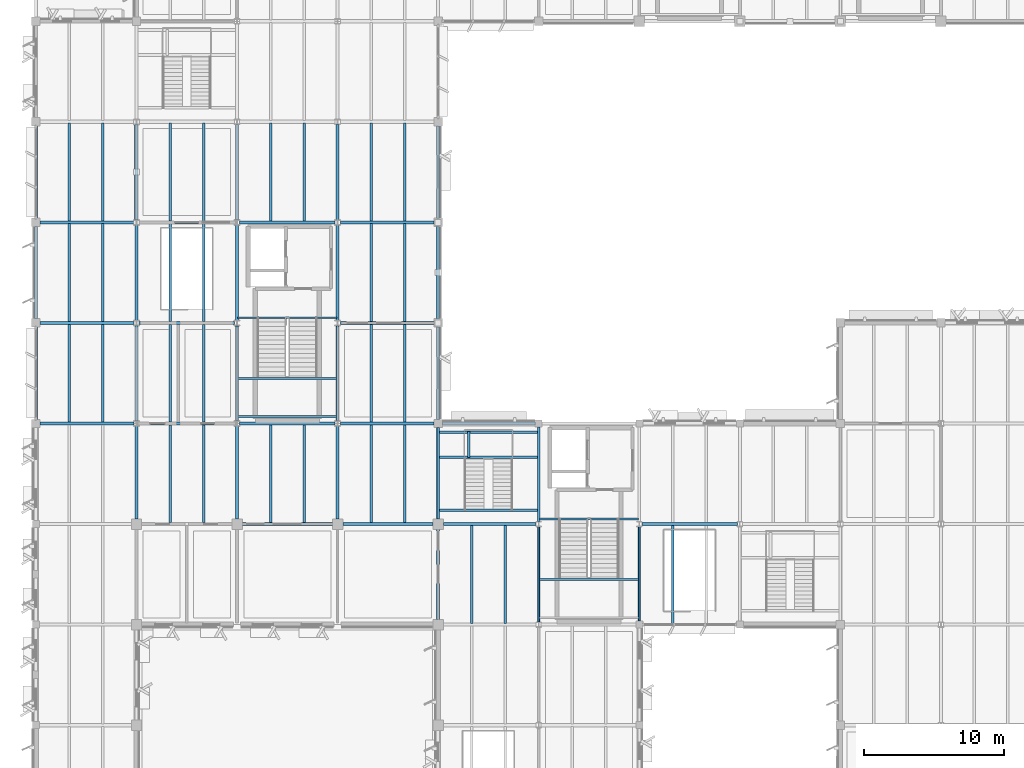
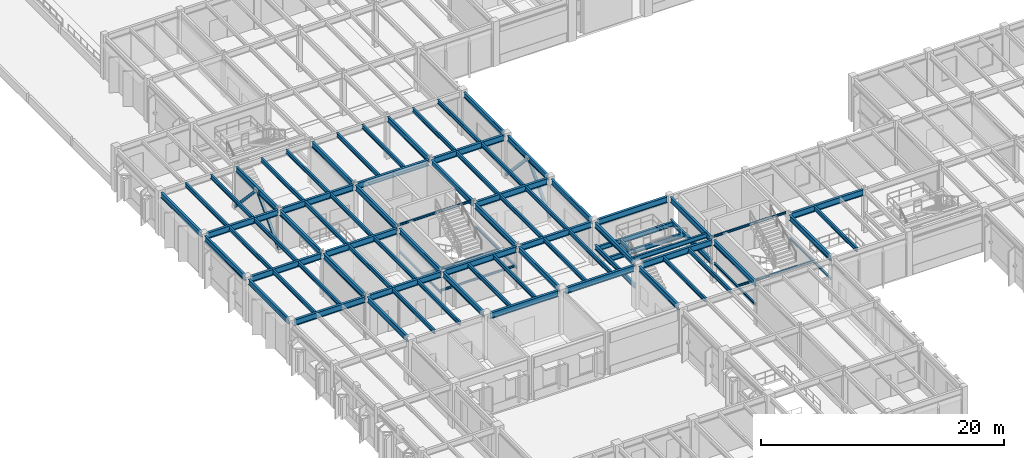
# One storey, part 16 of 92: 83 beams, 4 members.
"""IFC4 building model written with IfcOpenShell, lengths in metres."""

from ifc_helpers import new_model, si_unit, direction, frame, origin, origin_2d, place, context, subcontext, project, spatial, hollow_rectangle, i_section, extrude, material, material_profile, profile_set, type_object, element, save


model = new_model("IFC4")

# Units and contexts
model_context = context("Model", 3, precision=1e-05, world=origin(), true_north=direction((0.0, 1.0)))
body_context = subcontext(model_context, "Body", "Model", "MODEL_VIEW")
ifc_project = project(units=[si_unit("LENGTHUNIT", "METRE"), si_unit("AREAUNIT", "SQUARE_METRE"), si_unit("VOLUMEUNIT", "CUBIC_METRE"), si_unit("PLANEANGLEUNIT", "RADIAN"), si_unit("MASSUNIT", "GRAM", prefix="KILO")], contexts=[model_context])

# Site, building, storey
site_placement = place(None, origin())
site = spatial("IfcSite", under=ifc_project, at=site_placement, CompositionType="ELEMENT")
building_placement = place(site_placement, origin())
building = spatial("IfcBuilding", under=site, at=building_placement, Name="Sillqori Civic Hall", CompositionType="ELEMENT")
storey_placement = place(building_placement, frame((0.0, 0.0, 5.39990234375)))
storey = spatial("IfcBuildingStorey", under=building, at=storey_placement, Name="L02", CompositionType="ELEMENT", Elevation=5.39990234375)

# Beams
ifc_material_1 = material(Name="Steel ASTM A992", Category="steel")
ifc_material_profile_1 = material_profile(ifc_material_1, i_section(OverallWidth=0.19091796875, OverallDepth=0.4599609375, WebThickness=0.010009765625, FlangeThickness=0.01611328125, FilletRadius=0.012939453125, at=origin_2d()), Name="W18X55")
ifc_profile_set_1 = profile_set([ifc_material_profile_1], Name="Steel ASTM A992")
beam_type_1 = type_object("IfcBeamType", Name="BM-W18X55", PredefinedType="BEAM", material=ifc_profile_set_1)
beam_1_placement = place(storey_placement, frame((36.0, 43.569091796875, 1.8251953125), z_axis=(0.0, 1.0, 0.0), x_axis=(-1.0, 0.0, 0.0)))
element("IfcBeam", 1, at=beam_1_placement, inside=storey, type_object=beam_type_1, Name="Council Gallery Ceremonial Stair L02-L03 landing stringer girder W", PredefinedType="BEAM", context=body_context, shape_type="SweptSolid", body=[
    extrude(i_section(OverallWidth=0.19091796875, OverallDepth=0.4599609375, WebThickness=0.010009765625, FlangeThickness=0.01611328125, FilletRadius=0.012939453125, at=origin_2d()), origin(), (0.0, 0.0, 1.0), 6.536865234375),
])
beam_2_placement = place(storey_placement, frame((43.199951171875, 43.37451171875, 1.8251953125), z_axis=(0.0, 1.0, 0.0), x_axis=(-1.0, 0.0, 0.0)))
element("IfcBeam", 2, at=beam_2_placement, inside=storey, type_object=beam_type_1, Name="Council Gallery Ceremonial Stair L02-L03 landing stringer girder E", PredefinedType="BEAM", context=body_context, shape_type="SweptSolid", body=[
    extrude(i_section(OverallWidth=0.19091796875, OverallDepth=0.4599609375, WebThickness=0.010009765625, FlangeThickness=0.01611328125, FilletRadius=0.012939453125, at=origin_2d()), origin(), (0.0, 0.0, 1.0), 6.781494140625),
])
for number, where, z_axis, x_axis, name in (
    (3, (36.0400390625, 47.989990234375, 1.8251953125), (1.0, 0.0, 0.0), (0.0, 1.0, 0.0), "Council Gallery Ceremonial Stair L02-L03 half-landing cross trimmer 1"),
    (4, (36.0400390625, 49.780029296875, 1.8251953125), (1.0, 0.0, 0.0), (0.0, 1.0, 0.0), "Council Gallery Ceremonial Stair L02-L03 half-landing cross trimmer 2"),
):
    element("IfcBeam", number, at=place(storey_placement, frame(where, z_axis=z_axis, x_axis=x_axis)), inside=storey, type_object=beam_type_1, Name=name, PredefinedType="BEAM", context=body_context, shape_type="SweptSolid", body=[
        extrude(i_section(OverallWidth=0.19091796875, OverallDepth=0.4599609375, WebThickness=0.010009765625, FlangeThickness=0.01611328125, FilletRadius=0.012939453125, at=origin_2d()), origin(), (0.0, 0.0, 1.0), 7.119873046875),
    ])
beam_3_placement = place(storey_placement, frame((38.199951171875, 47.9599609375, 1.8251953125), z_axis=(0.0, 1.0, 0.0), x_axis=(-1.0, 0.0, 0.0)))
element("IfcBeam", 5, at=beam_3_placement, inside=storey, type_object=beam_type_1, Name="Council Gallery Ceremonial Stair L02-L03 half-landing spine rib", PredefinedType="BEAM", context=body_context, shape_type="SweptSolid", body=[
    extrude(i_section(OverallWidth=0.19091796875, OverallDepth=0.4599609375, WebThickness=0.010009765625, FlangeThickness=0.01611328125, FilletRadius=0.012939453125, at=origin_2d()), origin(), (0.0, 0.0, 1.0), 1.85009765625),
])
beam_4_placement = place(storey_placement, frame((36.0400390625, 44.199951171875, 4.0751953125), z_axis=(1.0, 0.0, 0.0), x_axis=(0.0, 1.0, 0.0)))
element("IfcBeam", 6, at=beam_4_placement, inside=storey, type_object=beam_type_1, Name="Council Gallery Ceremonial Stair L02-L03 upper arrival trimmer beam", PredefinedType="BEAM", context=body_context, shape_type="SweptSolid", body=[
    extrude(i_section(OverallWidth=0.19091796875, OverallDepth=0.4599609375, WebThickness=0.010009765625, FlangeThickness=0.01611328125, FilletRadius=0.012939453125, at=origin_2d()), origin(), (0.0, 0.0, 1.0), 7.119873046875),
])
ifc_material_profile_2 = material_profile(ifc_material_1, i_section(OverallWidth=0.2099609375, OverallDepth=0.532958984375, WebThickness=0.01025390625, FlangeThickness=0.015625, FilletRadius=0.013916015625, at=origin_2d()), Name="W21X62")
ifc_profile_set_2 = profile_set([ifc_material_profile_2], Name="Steel ASTM A992")
beam_type_2 = type_object("IfcBeamType", Name="BM-W21X62", PredefinedType="BEAM", material=ifc_profile_set_2)
beam_5_placement = place(storey_placement, frame((7.199951171875, 50.694091796875, 4.03369140625), z_axis=(0.0, 1.0, 0.0), x_axis=(-1.0, 0.0, 0.0)))
element("IfcBeam", 7, at=beam_5_placement, inside=storey, type_object=beam_type_2, Name="L02 girder Y 1-7", PredefinedType="BEAM", context=body_context, shape_type="SweptSolid", body=[
    extrude(i_section(OverallWidth=0.2099609375, OverallDepth=0.532958984375, WebThickness=0.01025390625, FlangeThickness=0.015625, FilletRadius=0.013916015625, at=origin_2d()), origin(), (0.0, 0.0, 1.0), 6.61181640625),
])
for number, where, z_axis, x_axis, name in (
    (8, (7.199951171875, 57.89404296875, 4.03369140625), (0.0, 1.0, 0.0), (-1.0, 0.0, 0.0), "L02 girder Y 1-8"),
    (9, (7.199951171875, 65.093994140625, 4.03369140625), (0.0, 1.0, 0.0), (-1.0, 0.0, 0.0), "L02 girder Y 1-9"),
):
    element("IfcBeam", number, at=place(storey_placement, frame(where, z_axis=z_axis, x_axis=x_axis)), inside=storey, type_object=beam_type_2, Name=name, PredefinedType="BEAM", context=body_context, shape_type="SweptSolid", body=[
        extrude(i_section(OverallWidth=0.2099609375, OverallDepth=0.532958984375, WebThickness=0.01025390625, FlangeThickness=0.015625, FilletRadius=0.013916015625, at=origin_2d()), origin(), (0.0, 0.0, 1.0), 6.612060546875),
    ])
beam_6_placement = place(storey_placement, frame((14.39990234375, 43.569091796875, 4.03369140625), z_axis=(0.0, 1.0, 0.0), x_axis=(-1.0, 0.0, 0.0)))
element("IfcBeam", 10, at=beam_6_placement, inside=storey, type_object=beam_type_2, Name="L02 girder Y 2-6", PredefinedType="BEAM", context=body_context, shape_type="SweptSolid", body=[
    extrude(i_section(OverallWidth=0.2099609375, OverallDepth=0.532958984375, WebThickness=0.01025390625, FlangeThickness=0.015625, FilletRadius=0.013916015625, at=origin_2d()), origin(), (0.0, 0.0, 1.0), 6.64892578125),
])
for number, where, z_axis, x_axis, name in (
    (11, (14.39990234375, 50.58203125, 4.03369140625), (0.0, 1.0, 0.0), (-1.0, 0.0, 0.0), "L02 girder Y 2-7"),
    (12, (14.39990234375, 57.781982421875, 4.03369140625), (0.0, 1.0, 0.0), (-1.0, 0.0, 0.0), "L02 girder Y 2-8"),
):
    element("IfcBeam", number, at=place(storey_placement, frame(where, z_axis=z_axis, x_axis=x_axis)), inside=storey, type_object=beam_type_2, Name=name, PredefinedType="BEAM", context=body_context, shape_type="SweptSolid", body=[
        extrude(i_section(OverallWidth=0.2099609375, OverallDepth=0.532958984375, WebThickness=0.01025390625, FlangeThickness=0.015625, FilletRadius=0.013916015625, at=origin_2d()), origin(), (0.0, 0.0, 1.0), 6.8359375),
    ])
beam_7_placement = place(storey_placement, frame((14.39990234375, 64.98193359375, 4.03369140625), z_axis=(0.0, 1.0, 0.0), x_axis=(-1.0, 0.0, 0.0)))
element("IfcBeam", 13, at=beam_7_placement, inside=storey, type_object=beam_type_2, Name="L02 girder Y 2-9", PredefinedType="BEAM", context=body_context, shape_type="SweptSolid", body=[
    extrude(i_section(OverallWidth=0.2099609375, OverallDepth=0.532958984375, WebThickness=0.01025390625, FlangeThickness=0.015625, FilletRadius=0.013916015625, at=origin_2d()), origin(), (0.0, 0.0, 1.0), 6.836181640625),
])
beam_8_placement = place(storey_placement, frame((21.60009765625, 43.569091796875, 4.03369140625), z_axis=(0.0, 1.0, 0.0), x_axis=(-1.0, 0.0, 0.0)))
element("IfcBeam", 14, at=beam_8_placement, inside=storey, type_object=beam_type_2, Name="L02 girder Y 3-6", PredefinedType="BEAM", context=body_context, shape_type="SweptSolid", body=[
    extrude(i_section(OverallWidth=0.2099609375, OverallDepth=0.532958984375, WebThickness=0.01025390625, FlangeThickness=0.015625, FilletRadius=0.013916015625, at=origin_2d()), origin(), (0.0, 0.0, 1.0), 6.64892578125),
])
for number, where, z_axis, x_axis, name in (
    (15, (21.60009765625, 50.58203125, 4.03369140625), (0.0, 1.0, 0.0), (-1.0, 0.0, 0.0), "L02 girder Y 3-7"),
    (16, (21.60009765625, 57.781982421875, 4.03369140625), (0.0, 1.0, 0.0), (-1.0, 0.0, 0.0), "L02 girder Y 3-8"),
):
    element("IfcBeam", number, at=place(storey_placement, frame(where, z_axis=z_axis, x_axis=x_axis)), inside=storey, type_object=beam_type_2, Name=name, PredefinedType="BEAM", context=body_context, shape_type="SweptSolid", body=[
        extrude(i_section(OverallWidth=0.2099609375, OverallDepth=0.532958984375, WebThickness=0.01025390625, FlangeThickness=0.015625, FilletRadius=0.013916015625, at=origin_2d()), origin(), (0.0, 0.0, 1.0), 6.8359375),
    ])
beam_9_placement = place(storey_placement, frame((21.60009765625, 64.98193359375, 4.03369140625), z_axis=(0.0, 1.0, 0.0), x_axis=(-1.0, 0.0, 0.0)))
element("IfcBeam", 17, at=beam_9_placement, inside=storey, type_object=beam_type_2, Name="L02 girder Y 3-9", PredefinedType="BEAM", context=body_context, shape_type="SweptSolid", body=[
    extrude(i_section(OverallWidth=0.2099609375, OverallDepth=0.532958984375, WebThickness=0.01025390625, FlangeThickness=0.015625, FilletRadius=0.013916015625, at=origin_2d()), origin(), (0.0, 0.0, 1.0), 6.836181640625),
])
beam_10_placement = place(storey_placement, frame((28.800048828125, 43.569091796875, 4.03369140625), z_axis=(0.0, 1.0, 0.0), x_axis=(-1.0, 0.0, 0.0)))
element("IfcBeam", 18, at=beam_10_placement, inside=storey, type_object=beam_type_2, Name="L02 girder Y 4-6", PredefinedType="BEAM", context=body_context, shape_type="SweptSolid", body=[
    extrude(i_section(OverallWidth=0.2099609375, OverallDepth=0.532958984375, WebThickness=0.01025390625, FlangeThickness=0.015625, FilletRadius=0.013916015625, at=origin_2d()), origin(), (0.0, 0.0, 1.0), 6.64892578125),
])
for number, where, z_axis, x_axis, name in (
    (19, (28.800048828125, 50.58203125, 4.03369140625), (0.0, 1.0, 0.0), (-1.0, 0.0, 0.0), "L02 girder Y 4-7"),
    (20, (28.800048828125, 57.781982421875, 4.03369140625), (0.0, 1.0, 0.0), (-1.0, 0.0, 0.0), "L02 girder Y 4-8"),
):
    element("IfcBeam", number, at=place(storey_placement, frame(where, z_axis=z_axis, x_axis=x_axis)), inside=storey, type_object=beam_type_2, Name=name, PredefinedType="BEAM", context=body_context, shape_type="SweptSolid", body=[
        extrude(i_section(OverallWidth=0.2099609375, OverallDepth=0.532958984375, WebThickness=0.01025390625, FlangeThickness=0.015625, FilletRadius=0.013916015625, at=origin_2d()), origin(), (0.0, 0.0, 1.0), 6.8359375),
    ])
beam_11_placement = place(storey_placement, frame((28.800048828125, 64.98193359375, 4.03369140625), z_axis=(0.0, 1.0, 0.0), x_axis=(-1.0, 0.0, 0.0)))
element("IfcBeam", 21, at=beam_11_placement, inside=storey, type_object=beam_type_2, Name="L02 girder Y 4-9", PredefinedType="BEAM", context=body_context, shape_type="SweptSolid", body=[
    extrude(i_section(OverallWidth=0.2099609375, OverallDepth=0.532958984375, WebThickness=0.01025390625, FlangeThickness=0.015625, FilletRadius=0.013916015625, at=origin_2d()), origin(), (0.0, 0.0, 1.0), 6.836181640625),
])
beam_12_placement = place(storey_placement, frame((36.0, 36.368896484375, 4.03369140625), z_axis=(0.0, 1.0, 0.0), x_axis=(-1.0, 0.0, 0.0)))
element("IfcBeam", 22, at=beam_12_placement, inside=storey, type_object=beam_type_2, Name="L02 girder Y 5-5", PredefinedType="BEAM", context=body_context, shape_type="SweptSolid", body=[
    extrude(i_section(OverallWidth=0.2099609375, OverallDepth=0.532958984375, WebThickness=0.01025390625, FlangeThickness=0.015625, FilletRadius=0.013916015625, at=origin_2d()), origin(), (0.0, 0.0, 1.0), 6.462158203125),
])
beam_13_placement = place(storey_placement, frame((36.0, 43.569091796875, 4.03369140625), z_axis=(0.0, 1.0, 0.0), x_axis=(-1.0, 0.0, 0.0)))
element("IfcBeam", 23, at=beam_13_placement, inside=storey, type_object=beam_type_2, Name="L02 girder Y 5-6", PredefinedType="BEAM", context=body_context, shape_type="SweptSolid", body=[
    extrude(i_section(OverallWidth=0.2099609375, OverallDepth=0.532958984375, WebThickness=0.01025390625, FlangeThickness=0.015625, FilletRadius=0.013916015625, at=origin_2d()), origin(), (0.0, 0.0, 1.0), 6.536865234375),
])
beam_14_placement = place(storey_placement, frame((36.0, 50.694091796875, 4.03369140625), z_axis=(0.0, 1.0, 0.0), x_axis=(-1.0, 0.0, 0.0)))
element("IfcBeam", 24, at=beam_14_placement, inside=storey, type_object=beam_type_2, Name="L02 girder Y 5-7", PredefinedType="BEAM", context=body_context, shape_type="SweptSolid", body=[
    extrude(i_section(OverallWidth=0.2099609375, OverallDepth=0.532958984375, WebThickness=0.01025390625, FlangeThickness=0.015625, FilletRadius=0.013916015625, at=origin_2d()), origin(), (0.0, 0.0, 1.0), 6.61181640625),
])
for number, where, z_axis, x_axis, name in (
    (25, (36.0, 57.89404296875, 4.03369140625), (0.0, 1.0, 0.0), (-1.0, 0.0, 0.0), "L02 girder Y 5-8"),
    (26, (36.0, 65.093994140625, 4.03369140625), (0.0, 1.0, 0.0), (-1.0, 0.0, 0.0), "L02 girder Y 5-9"),
):
    element("IfcBeam", number, at=place(storey_placement, frame(where, z_axis=z_axis, x_axis=x_axis)), inside=storey, type_object=beam_type_2, Name=name, PredefinedType="BEAM", context=body_context, shape_type="SweptSolid", body=[
        extrude(i_section(OverallWidth=0.2099609375, OverallDepth=0.532958984375, WebThickness=0.01025390625, FlangeThickness=0.015625, FilletRadius=0.013916015625, at=origin_2d()), origin(), (0.0, 0.0, 1.0), 6.612060546875),
    ])
beam_15_placement = place(storey_placement, frame((43.199951171875, 36.174560546875, 4.03369140625), z_axis=(0.0, 1.0, 0.0), x_axis=(-1.0, 0.0, 0.0)))
element("IfcBeam", 27, at=beam_15_placement, inside=storey, type_object=beam_type_2, Name="L02 girder Y 6-5", PredefinedType="BEAM", context=body_context, shape_type="SweptSolid", body=[
    extrude(i_section(OverallWidth=0.2099609375, OverallDepth=0.532958984375, WebThickness=0.01025390625, FlangeThickness=0.015625, FilletRadius=0.013916015625, at=origin_2d()), origin(), (0.0, 0.0, 1.0), 6.850830078125),
])
for number, where, z_axis, x_axis, name in (
    (28, (43.199951171875, 43.37451171875, 4.03369140625), (0.0, 1.0, 0.0), (-1.0, 0.0, 0.0), "L02 girder Y 6-6"),
    (29, (50.39990234375, 36.243896484375, 4.03369140625), (0.0, 1.0, 0.0), (-1.0, 0.0, 0.0), "L02 girder Y 7-5"),
):
    element("IfcBeam", number, at=place(storey_placement, frame(where, z_axis=z_axis, x_axis=x_axis)), inside=storey, type_object=beam_type_2, Name=name, PredefinedType="BEAM", context=body_context, shape_type="SweptSolid", body=[
        extrude(i_section(OverallWidth=0.2099609375, OverallDepth=0.532958984375, WebThickness=0.01025390625, FlangeThickness=0.015625, FilletRadius=0.013916015625, at=origin_2d()), origin(), (0.0, 0.0, 1.0), 6.781494140625),
    ])
ifc_material_profile_3 = material_profile(ifc_material_1, i_section(OverallWidth=0.22802734375, OverallDepth=0.60205078125, WebThickness=0.010498046875, FlangeThickness=0.014892578125, FilletRadius=0.014892578125, at=origin_2d()), Name="W24X68")
ifc_profile_set_3 = profile_set([ifc_material_profile_3], Name="Steel ASTM A992")
beam_type_3 = type_object("IfcBeamType", Name="BM-W24X68", PredefinedType="BEAM", material=ifc_profile_set_3)
for number, where, z_axis, x_axis, name in (
    (30, (7.493896484375, 50.39990234375, 3.9990234375), (1.0, 0.0, 0.0), (0.0, 1.0, 0.0), "L02 girder X 1-7"),
    (31, (7.493896484375, 57.60009765625, 3.9990234375), (1.0, 0.0, 0.0), (0.0, 1.0, 0.0), "L02 girder X 1-8"),
    (32, (7.493896484375, 64.800048828125, 3.9990234375), (1.0, 0.0, 0.0), (0.0, 1.0, 0.0), "L02 girder X 1-9"),
):
    element("IfcBeam", number, at=place(storey_placement, frame(where, z_axis=z_axis, x_axis=x_axis)), inside=storey, type_object=beam_type_3, Name=name, PredefinedType="BEAM", context=body_context, shape_type="SweptSolid", body=[
        extrude(i_section(OverallWidth=0.22802734375, OverallDepth=0.60205078125, WebThickness=0.010498046875, FlangeThickness=0.014892578125, FilletRadius=0.014892578125, at=origin_2d()), origin(), (0.0, 0.0, 1.0), 6.715087890625),
    ])
for number, where, z_axis, x_axis, name in (
    (33, (14.591064453125, 50.39990234375, 3.9990234375), (1.0, 0.0, 0.0), (0.0, 1.0, 0.0), "L02 girder X 2-7"),
    (34, (14.591064453125, 57.60009765625, 3.9990234375), (1.0, 0.0, 0.0), (0.0, 1.0, 0.0), "L02 girder X 2-8"),
    (35, (14.591064453125, 64.800048828125, 3.9990234375), (1.0, 0.0, 0.0), (0.0, 1.0, 0.0), "L02 girder X 2-9"),
):
    element("IfcBeam", number, at=place(storey_placement, frame(where, z_axis=z_axis, x_axis=x_axis)), inside=storey, type_object=beam_type_3, Name=name, PredefinedType="BEAM", context=body_context, shape_type="SweptSolid", body=[
        extrude(i_section(OverallWidth=0.22802734375, OverallDepth=0.60205078125, WebThickness=0.010498046875, FlangeThickness=0.014892578125, FilletRadius=0.014892578125, at=origin_2d()), origin(), (0.0, 0.0, 1.0), 6.81787109375),
    ])
beam_16_placement = place(storey_placement, frame((21.968994140625, 43.199951171875, 3.9990234375), z_axis=(1.0, 0.0, 0.0), x_axis=(0.0, 1.0, 0.0)))
element("IfcBeam", 36, at=beam_16_placement, inside=storey, type_object=beam_type_3, Name="L02 girder X 3-6", PredefinedType="BEAM", context=body_context, shape_type="SweptSolid", body=[
    extrude(i_section(OverallWidth=0.22802734375, OverallDepth=0.60205078125, WebThickness=0.010498046875, FlangeThickness=0.014892578125, FilletRadius=0.014892578125, at=origin_2d()), origin(), (0.0, 0.0, 1.0), 6.4619140625),
])
for number, where, z_axis, x_axis, name in (
    (37, (21.791015625, 50.39990234375, 3.9990234375), (1.0, 0.0, 0.0), (0.0, 1.0, 0.0), "L02 girder X 3-7"),
    (38, (21.791015625, 64.800048828125, 3.9990234375), (1.0, 0.0, 0.0), (0.0, 1.0, 0.0), "L02 girder X 3-9"),
):
    element("IfcBeam", number, at=place(storey_placement, frame(where, z_axis=z_axis, x_axis=x_axis)), inside=storey, type_object=beam_type_3, Name=name, PredefinedType="BEAM", context=body_context, shape_type="SweptSolid", body=[
        extrude(i_section(OverallWidth=0.22802734375, OverallDepth=0.60205078125, WebThickness=0.010498046875, FlangeThickness=0.014892578125, FilletRadius=0.014892578125, at=origin_2d()), origin(), (0.0, 0.0, 1.0), 6.81787109375),
    ])
beam_17_placement = place(storey_placement, frame((29.1689453125, 43.199951171875, 3.9990234375), z_axis=(1.0, 0.0, 0.0), x_axis=(0.0, 1.0, 0.0)))
element("IfcBeam", 39, at=beam_17_placement, inside=storey, type_object=beam_type_3, Name="L02 girder X 4-6", PredefinedType="BEAM", context=body_context, shape_type="SweptSolid", body=[
    extrude(i_section(OverallWidth=0.22802734375, OverallDepth=0.60205078125, WebThickness=0.010498046875, FlangeThickness=0.014892578125, FilletRadius=0.014892578125, at=origin_2d()), origin(), (0.0, 0.0, 1.0), 6.462158203125),
])
for number, where, z_axis, x_axis, name in (
    (40, (28.990966796875, 50.39990234375, 3.9990234375), (1.0, 0.0, 0.0), (0.0, 1.0, 0.0), "L02 girder X 4-7"),
    (41, (28.990966796875, 57.60009765625, 3.9990234375), (1.0, 0.0, 0.0), (0.0, 1.0, 0.0), "L02 girder X 4-8"),
    (42, (28.990966796875, 64.800048828125, 3.9990234375), (1.0, 0.0, 0.0), (0.0, 1.0, 0.0), "L02 girder X 4-9"),
):
    element("IfcBeam", number, at=place(storey_placement, frame(where, z_axis=z_axis, x_axis=x_axis)), inside=storey, type_object=beam_type_3, Name=name, PredefinedType="BEAM", context=body_context, shape_type="SweptSolid", body=[
        extrude(i_section(OverallWidth=0.22802734375, OverallDepth=0.60205078125, WebThickness=0.010498046875, FlangeThickness=0.014892578125, FilletRadius=0.014892578125, at=origin_2d()), origin(), (0.0, 0.0, 1.0), 6.715087890625),
    ])
beam_18_placement = place(storey_placement, frame((36.368896484375, 43.199951171875, 3.9990234375), z_axis=(1.0, 0.0, 0.0), x_axis=(0.0, 1.0, 0.0)))
element("IfcBeam", 43, at=beam_18_placement, inside=storey, type_object=beam_type_3, Name="L02 girder X 5-6", PredefinedType="BEAM", context=body_context, shape_type="SweptSolid", body=[
    extrude(i_section(OverallWidth=0.22802734375, OverallDepth=0.60205078125, WebThickness=0.010498046875, FlangeThickness=0.014892578125, FilletRadius=0.014892578125, at=origin_2d()), origin(), (0.0, 0.0, 1.0), 6.651611328125),
])
beam_19_placement = place(storey_placement, frame((36.2939453125, 50.39990234375, 3.9990234375), z_axis=(1.0, 0.0, 0.0), x_axis=(0.0, 1.0, 0.0)))
element("IfcBeam", 44, at=beam_19_placement, inside=storey, type_object=beam_type_3, Name="L02 girder X 5-7", PredefinedType="BEAM", context=body_context, shape_type="SweptSolid", body=[
    extrude(i_section(OverallWidth=0.22802734375, OverallDepth=0.60205078125, WebThickness=0.010498046875, FlangeThickness=0.014892578125, FilletRadius=0.014892578125, at=origin_2d()), origin(), (0.0, 0.0, 1.0), 6.662109375),
])
beam_20_placement = place(storey_placement, frame((50.57958984375, 43.199951171875, 3.9990234375), z_axis=(1.0, 0.0, 0.0), x_axis=(0.0, 1.0, 0.0)))
element("IfcBeam", 45, at=beam_20_placement, inside=storey, type_object=beam_type_3, Name="L02 girder X 7-6", PredefinedType="BEAM", context=body_context, shape_type="SweptSolid", body=[
    extrude(i_section(OverallWidth=0.22802734375, OverallDepth=0.60205078125, WebThickness=0.010498046875, FlangeThickness=0.014892578125, FilletRadius=0.014892578125, at=origin_2d()), origin(), (0.0, 0.0, 1.0), 6.8408203125),
])

# Members
ifc_material_2 = material(Name="Steel ASTM A500 Grade C", Category="steel")
ifc_material_profile_4 = material_profile(ifc_material_2, hollow_rectangle(XDim=0.25, YDim=0.25, WallThickness=0.011962890625, InnerFilletRadius=0.011962890625, OuterFilletRadius=0.02392578125, at=origin_2d()), Name="HSS250X250X12")
ifc_profile_set_4 = profile_set([ifc_material_profile_4], Name="Steel ASTM A500 Grade C")
member_type = type_object("IfcMemberType", Name="BR-HSS250", PredefinedType="BRACE", material=ifc_profile_set_4)
for number, where, z_axis, x_axis, name in (
    (46, (36.0, 57.60009765625, 0.150146484375), (0.0, 0.682992959744, 0.730424956406), (-1.0, 0.0, 0.0), "L02 seismic chevron brace L Y5-8"),
    (47, (36.0, 64.800048828125, 0.150146484375), (0.0, -0.683017671411, 0.73040184867), (1.0, 0.0, 0.0), "L02 seismic chevron brace R Y5-8"),
    (48, (14.39990234375, 64.800048828125, 0.150146484375), (0.0, 0.682992959744, 0.730424956406), (-1.0, 0.0, 0.0), "L02 seismic chevron brace L Y2-9"),
    (49, (14.39990234375, 72.0, 0.150146484375), (0.0, -0.683017671411, 0.73040184867), (1.0, 0.0, 0.0), "L02 seismic chevron brace R Y2-9"),
):
    element("IfcMember", number, at=place(storey_placement, frame(where, z_axis=z_axis, x_axis=x_axis)), inside=storey, type_object=member_type, Name=name, PredefinedType="BRACE", context=body_context, shape_type="SweptSolid", body=[
        extrude(hollow_rectangle(XDim=0.25, YDim=0.25, WallThickness=0.011962890625, InnerFilletRadius=0.011962890625, OuterFilletRadius=0.02392578125, at=origin_2d()), origin(), (0.0, 0.0, 1.0), 5.270751953125),
    ])

# Beams
ifc_material_profile_5 = material_profile(ifc_material_1, i_section(OverallWidth=0.177978515625, OverallDepth=0.404052734375, WebThickness=0.007568359375, FlangeThickness=0.010986328125, FilletRadius=0.011962890625, at=origin_2d()), Name="W16X36")
ifc_profile_set_5 = profile_set([ifc_material_profile_5], Name="Steel ASTM A992")
beam_type_4 = type_object("IfcBeamType", Name="JS-W16X36", PredefinedType="JOIST", material=ifc_profile_set_5)
for number, where, z_axis, x_axis, name in (
    (50, (9.60009765625, 50.4951171875, 4.09814453125), (0.0, 1.0, 0.0), (-1.0, 0.0, 0.0), "L02 composite joist 1-7.1"),
    (51, (12.0, 50.4951171875, 4.09814453125), (0.0, 1.0, 0.0), (-1.0, 0.0, 0.0), "L02 composite joist 1-7.2"),
):
    element("IfcBeam", number, at=place(storey_placement, frame(where, z_axis=z_axis, x_axis=x_axis)), inside=storey, type_object=beam_type_4, Name=name, PredefinedType="JOIST", context=body_context, shape_type="SweptSolid", body=[
        extrude(i_section(OverallWidth=0.177978515625, OverallDepth=0.404052734375, WebThickness=0.007568359375, FlangeThickness=0.010986328125, FilletRadius=0.011962890625, at=origin_2d()), origin(), (0.0, 0.0, 1.0), 7.009765625),
    ])
for number, where, z_axis, x_axis, name in (
    (52, (9.60009765625, 57.695068359375, 4.09814453125), (0.0, 1.0, 0.0), (-1.0, 0.0, 0.0), "L02 composite joist 1-8.1"),
    (53, (12.0, 57.695068359375, 4.09814453125), (0.0, 1.0, 0.0), (-1.0, 0.0, 0.0), "L02 composite joist 1-8.2"),
    (54, (9.60009765625, 64.89501953125, 4.09814453125), (0.0, 1.0, 0.0), (-1.0, 0.0, 0.0), "L02 composite joist 1-9.1"),
    (55, (12.0, 64.89501953125, 4.09814453125), (0.0, 1.0, 0.0), (-1.0, 0.0, 0.0), "L02 composite joist 1-9.2"),
    (56, (16.800048828125, 43.294921875, 4.09814453125), (0.0, 1.0, 0.0), (-1.0, 0.0, 0.0), "L02 composite joist 2-6.1"),
    (57, (19.199951171875, 43.294921875, 4.09814453125), (0.0, 1.0, 0.0), (-1.0, 0.0, 0.0), "L02 composite joist 2-6.2"),
):
    element("IfcBeam", number, at=place(storey_placement, frame(where, z_axis=z_axis, x_axis=x_axis)), inside=storey, type_object=beam_type_4, Name=name, PredefinedType="JOIST", context=body_context, shape_type="SweptSolid", body=[
        extrude(i_section(OverallWidth=0.177978515625, OverallDepth=0.404052734375, WebThickness=0.007568359375, FlangeThickness=0.010986328125, FilletRadius=0.011962890625, at=origin_2d()), origin(), (0.0, 0.0, 1.0), 7.010009765625),
    ])
for number, where, z_axis, x_axis, name in (
    (58, (16.800048828125, 50.4951171875, 4.09814453125), (0.0, 1.0, 0.0), (-1.0, 0.0, 0.0), "L02 composite joist 2-7.1"),
    (59, (19.199951171875, 50.4951171875, 4.09814453125), (0.0, 1.0, 0.0), (-1.0, 0.0, 0.0), "L02 composite joist 2-7.2"),
):
    element("IfcBeam", number, at=place(storey_placement, frame(where, z_axis=z_axis, x_axis=x_axis)), inside=storey, type_object=beam_type_4, Name=name, PredefinedType="JOIST", context=body_context, shape_type="SweptSolid", body=[
        extrude(i_section(OverallWidth=0.177978515625, OverallDepth=0.404052734375, WebThickness=0.007568359375, FlangeThickness=0.010986328125, FilletRadius=0.011962890625, at=origin_2d()), origin(), (0.0, 0.0, 1.0), 7.009765625),
    ])
for number, where, z_axis, x_axis, name in (
    (60, (16.800048828125, 57.695068359375, 4.09814453125), (0.0, 1.0, 0.0), (-1.0, 0.0, 0.0), "L02 composite joist 2-8.1"),
    (61, (19.199951171875, 57.695068359375, 4.09814453125), (0.0, 1.0, 0.0), (-1.0, 0.0, 0.0), "L02 composite joist 2-8.2"),
    (62, (16.800048828125, 64.89501953125, 4.09814453125), (0.0, 1.0, 0.0), (-1.0, 0.0, 0.0), "L02 composite joist 2-9.1"),
    (63, (19.199951171875, 64.89501953125, 4.09814453125), (0.0, 1.0, 0.0), (-1.0, 0.0, 0.0), "L02 composite joist 2-9.2"),
    (64, (24.0, 43.294921875, 4.09814453125), (0.0, 1.0, 0.0), (-1.0, 0.0, 0.0), "L02 composite joist 3-6.1"),
    (65, (26.39990234375, 43.294921875, 4.09814453125), (0.0, 1.0, 0.0), (-1.0, 0.0, 0.0), "L02 composite joist 3-6.2"),
    (66, (24.0, 64.89501953125, 4.09814453125), (0.0, 1.0, 0.0), (-1.0, 0.0, 0.0), "L02 composite joist 3-9.1"),
    (67, (26.39990234375, 64.89501953125, 4.09814453125), (0.0, 1.0, 0.0), (-1.0, 0.0, 0.0), "L02 composite joist 3-9.2"),
    (68, (31.199951171875, 43.294921875, 4.09814453125), (0.0, 1.0, 0.0), (-1.0, 0.0, 0.0), "L02 composite joist 4-6.1"),
    (69, (33.60009765625, 43.294921875, 4.09814453125), (0.0, 1.0, 0.0), (-1.0, 0.0, 0.0), "L02 composite joist 4-6.2"),
):
    element("IfcBeam", number, at=place(storey_placement, frame(where, z_axis=z_axis, x_axis=x_axis)), inside=storey, type_object=beam_type_4, Name=name, PredefinedType="JOIST", context=body_context, shape_type="SweptSolid", body=[
        extrude(i_section(OverallWidth=0.177978515625, OverallDepth=0.404052734375, WebThickness=0.007568359375, FlangeThickness=0.010986328125, FilletRadius=0.011962890625, at=origin_2d()), origin(), (0.0, 0.0, 1.0), 7.010009765625),
    ])
for number, where, z_axis, x_axis, name in (
    (70, (31.199951171875, 50.4951171875, 4.09814453125), (0.0, 1.0, 0.0), (-1.0, 0.0, 0.0), "L02 composite joist 4-7.1"),
    (71, (33.60009765625, 50.4951171875, 4.09814453125), (0.0, 1.0, 0.0), (-1.0, 0.0, 0.0), "L02 composite joist 4-7.2"),
):
    element("IfcBeam", number, at=place(storey_placement, frame(where, z_axis=z_axis, x_axis=x_axis)), inside=storey, type_object=beam_type_4, Name=name, PredefinedType="JOIST", context=body_context, shape_type="SweptSolid", body=[
        extrude(i_section(OverallWidth=0.177978515625, OverallDepth=0.404052734375, WebThickness=0.007568359375, FlangeThickness=0.010986328125, FilletRadius=0.011962890625, at=origin_2d()), origin(), (0.0, 0.0, 1.0), 7.009765625),
    ])
for number, where, z_axis, x_axis, name in (
    (72, (31.199951171875, 57.695068359375, 4.09814453125), (0.0, 1.0, 0.0), (-1.0, 0.0, 0.0), "L02 composite joist 4-8.1"),
    (73, (33.60009765625, 57.695068359375, 4.09814453125), (0.0, 1.0, 0.0), (-1.0, 0.0, 0.0), "L02 composite joist 4-8.2"),
    (74, (31.199951171875, 64.89501953125, 4.09814453125), (0.0, 1.0, 0.0), (-1.0, 0.0, 0.0), "L02 composite joist 4-9.1"),
    (75, (33.60009765625, 64.89501953125, 4.09814453125), (0.0, 1.0, 0.0), (-1.0, 0.0, 0.0), "L02 composite joist 4-9.2"),
    (76, (38.39990234375, 36.094970703125, 4.09814453125), (0.0, 1.0, 0.0), (-1.0, 0.0, 0.0), "L02 composite joist 5-5.1"),
    (77, (40.800048828125, 36.094970703125, 4.09814453125), (0.0, 1.0, 0.0), (-1.0, 0.0, 0.0), "L02 composite joist 5-5.2"),
    (78, (52.800048828125, 36.094970703125, 4.09814453125), (0.0, 1.0, 0.0), (-1.0, 0.0, 0.0), "L02 composite joist 7-5.1"),
):
    element("IfcBeam", number, at=place(storey_placement, frame(where, z_axis=z_axis, x_axis=x_axis)), inside=storey, type_object=beam_type_4, Name=name, PredefinedType="JOIST", context=body_context, shape_type="SweptSolid", body=[
        extrude(i_section(OverallWidth=0.177978515625, OverallDepth=0.404052734375, WebThickness=0.007568359375, FlangeThickness=0.010986328125, FilletRadius=0.011962890625, at=origin_2d()), origin(), (0.0, 0.0, 1.0), 7.010009765625),
    ])
ifc_material_profile_6 = material_profile(ifc_material_1, i_section(OverallWidth=0.133056640625, OverallDepth=0.20703125, WebThickness=0.005859375, FlangeThickness=0.00830078125, FilletRadius=0.008056640625, at=origin_2d()), Name="W8X18")
ifc_profile_set_6 = profile_set([ifc_material_profile_6], Name="Steel ASTM A992")
beam_type_5 = type_object("IfcBeamType", Name="LN-W8X18", PredefinedType="LINTEL", material=ifc_profile_set_6)
beam_21_placement = place(storey_placement, frame((43.199951171875, 36.174560546875, 1.9326171875), z_axis=(0.0, 1.0, 0.0), x_axis=(-1.0, 0.0, 0.0)))
element("IfcBeam", 79, at=beam_21_placement, inside=storey, type_object=beam_type_5, Name="L02 grid 6 stair landing stringer 1", PredefinedType="LINTEL", context=body_context, shape_type="SweptSolid", body=[
    extrude(i_section(OverallWidth=0.133056640625, OverallDepth=0.20703125, WebThickness=0.005859375, FlangeThickness=0.00830078125, FilletRadius=0.008056640625, at=origin_2d()), origin(), (0.0, 0.0, 1.0), 6.850830078125),
])
beam_22_placement = place(storey_placement, frame((50.39990234375, 36.243896484375, 1.9326171875), z_axis=(0.0, 1.0, 0.0), x_axis=(-1.0, 0.0, 0.0)))
element("IfcBeam", 80, at=beam_22_placement, inside=storey, type_object=beam_type_5, Name="L02 grid 7 stair landing stringer 1", PredefinedType="LINTEL", context=body_context, shape_type="SweptSolid", body=[
    extrude(i_section(OverallWidth=0.133056640625, OverallDepth=0.20703125, WebThickness=0.005859375, FlangeThickness=0.00830078125, FilletRadius=0.008056640625, at=origin_2d()), origin(), (0.0, 0.0, 1.0), 6.781494140625),
])
for number, where, z_axis, x_axis, name in (
    (81, (43.25, 39.22998046875, 1.9326171875), (1.0, 0.0, 0.0), (0.0, 1.0, 0.0), "L02 C1 stair half-landing steel ledger 1.2"),
    (82, (43.25, 43.570068359375, 4.20263671875), (1.0, 0.0, 0.0), (0.0, 1.0, 0.0), "L02 C1 stair upper arrival steel trimmer"),
):
    element("IfcBeam", number, at=place(storey_placement, frame(where, z_axis=z_axis, x_axis=x_axis)), inside=storey, type_object=beam_type_5, Name=name, PredefinedType="LINTEL", context=body_context, shape_type="SweptSolid", body=[
        extrude(i_section(OverallWidth=0.133056640625, OverallDepth=0.20703125, WebThickness=0.005859375, FlangeThickness=0.00830078125, FilletRadius=0.008056640625, at=origin_2d()), origin(), (0.0, 0.0, 1.0), 7.10009765625),
    ])
for number, where, z_axis, x_axis, name in (
    (83, (21.60009765625, 50.58203125, 1.9326171875), (0.0, 1.0, 0.0), (-1.0, 0.0, 0.0), "L02 grid 3 stair landing stringer 1"),
    (84, (28.800048828125, 50.58203125, 1.9326171875), (0.0, 1.0, 0.0), (-1.0, 0.0, 0.0), "L02 grid 4 stair landing stringer 1"),
):
    element("IfcBeam", number, at=place(storey_placement, frame(where, z_axis=z_axis, x_axis=x_axis)), inside=storey, type_object=beam_type_5, Name=name, PredefinedType="LINTEL", context=body_context, shape_type="SweptSolid", body=[
        extrude(i_section(OverallWidth=0.133056640625, OverallDepth=0.20703125, WebThickness=0.005859375, FlangeThickness=0.00830078125, FilletRadius=0.008056640625, at=origin_2d()), origin(), (0.0, 0.0, 1.0), 6.8359375),
    ])
for number, where, z_axis, x_axis, name in (
    (85, (21.64990234375, 50.89501953125, 1.9326171875), (1.0, 0.0, 0.0), (0.0, 1.0, 0.0), "L02 C4 stair half-landing steel ledger 1.1"),
    (86, (21.64990234375, 53.6298828125, 1.9326171875), (1.0, 0.0, 0.0), (0.0, 1.0, 0.0), "L02 C4 stair half-landing steel ledger 1.2"),
    (87, (21.64990234375, 57.969970703125, 4.20263671875), (1.0, 0.0, 0.0), (0.0, 1.0, 0.0), "L02 C4 stair upper arrival steel trimmer"),
):
    element("IfcBeam", number, at=place(storey_placement, frame(where, z_axis=z_axis, x_axis=x_axis)), inside=storey, type_object=beam_type_5, Name=name, PredefinedType="LINTEL", context=body_context, shape_type="SweptSolid", body=[
        extrude(i_section(OverallWidth=0.133056640625, OverallDepth=0.20703125, WebThickness=0.005859375, FlangeThickness=0.00830078125, FilletRadius=0.008056640625, at=origin_2d()), origin(), (0.0, 0.0, 1.0), 7.10009765625),
    ])

save(model, "model.ifc")
